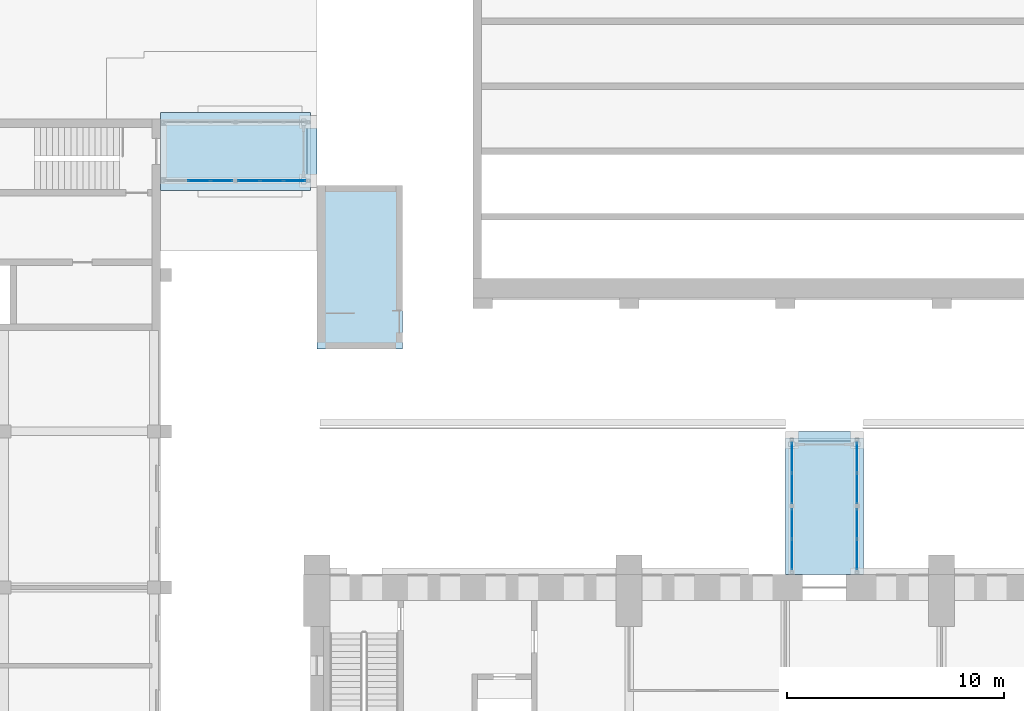
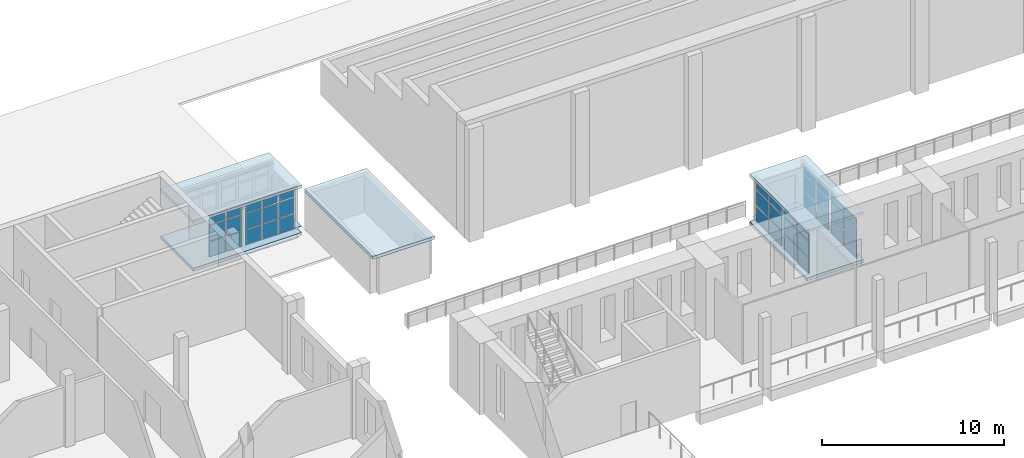
# One storey, part 66 of 131: 41 plates, 5 slabs, 6 elements without a shape of their own.
"""IFC4 building model written with IfcOpenShell, lengths in metres."""

from ifc_helpers import new_model, si_unit, direction, frame, origin, origin_2d, place, context, subcontext, project, spatial, polyline, rectangle, outline, extrude, material, layer, layer_set, type_object, element, aggregate, save


model = new_model("IFC4")

# Units and contexts
model_context = context("Model", 3, precision=1e-05, world=origin(), true_north=direction((0.0, 1.0)))
body_context = subcontext(model_context, "Body", "Model", "MODEL_VIEW")
ifc_project = project(units=[si_unit("LENGTHUNIT", "METRE"), si_unit("AREAUNIT", "SQUARE_METRE"), si_unit("VOLUMEUNIT", "CUBIC_METRE"), si_unit("PLANEANGLEUNIT", "RADIAN"), si_unit("MASSUNIT", "GRAM", prefix="KILO")], contexts=[model_context])

# Site, building, storey
site_placement = place(None, origin())
site = spatial("IfcSite", under=ifc_project, at=site_placement, CompositionType="ELEMENT")
building_placement = place(site_placement, origin())
building = spatial("IfcBuilding", under=site, at=building_placement, Name="Alderwick Market Hall", CompositionType="ELEMENT")
storey_placement = place(building_placement, frame((0.0, 0.0, 4.800048828125)))
storey = spatial("IfcBuildingStorey", under=building, at=storey_placement, Name="L00", CompositionType="ELEMENT", Elevation=4.800048828125)

# Slab
ifc_material_1 = material(Name="Concrete 4000 psi (f'c 28 MPa)", Category="concrete")
ifc_layer_1 = layer(ifc_material_1, 0.199951171875)
ifc_layer_set_1 = layer_set([ifc_layer_1], Name="Concrete 4000 psi (f'c 28 MPa)")
slab_type_1 = type_object("IfcSlabType", Name="A Head-house Roof Slab 200", PredefinedType="ROOF", material=ifc_layer_set_1)
slab_1_placement = place(storey_placement, frame((0.0, 0.0, 2.5)))
element("IfcSlab", 1, at=slab_1_placement, inside=storey, type_object=slab_type_1, Name="A.N.hh.W.roof", PredefinedType="ROOF", context=body_context, shape_type="SweptSolid", body=[
    extrude(outline(polyline([(50.39990234375, 119.0), (54.35009765625, 119.0), (54.35009765625, 126.52001953125), (50.39990234375, 126.52001953125), (50.39990234375, 119.0)])), origin(), (0.0, 0.0, 1.0), 0.199951171875),
])

# Curtain wall, plates
ifc_material_2 = material(Name="Aluminium frame", Category="aluminium")
ifc_layer_2 = layer(ifc_material_2, 0.10009765625)
ifc_layer_set_2 = layer_set([ifc_layer_2], Name="Aluminium frame")
curtain_wall_type = type_object("IfcCurtainWallType", Name="P Curtain Wall 100", PredefinedType="NOTDEFINED", material=ifc_layer_set_2)
curtain_wall_1_placement = place(storey_placement, origin())
curtain_wall_1 = element("IfcCurtainWall", 2, at=curtain_wall_1_placement, inside=storey, type_object=curtain_wall_type, Name="P.P1.cw.a0", PredefinedType="NOTDEFINED")
ifc_material_3 = material(Name="Glass, low-e insulated glazing", Category="glass")
ifc_layer_3 = layer(ifc_material_3, 0.028076171875)
ifc_layer_set_3 = layer_set([ifc_layer_3], Name="Glass, low-e insulated glazing")
plate_type_1 = type_object("IfcPlateType", Name="P Glass Panel 28", PredefinedType="CURTAIN_PANEL", material=ifc_layer_set_3)
plate_1_placement = place(storey_placement, frame((72.300048828125, 109.515380859375, 0.06005859375), z_axis=(0.0, 0.0, 1.0), x_axis=(0.0, 1.0, 0.0)))
plate_1 = element("IfcPlate", 3, at=plate_1_placement, type_object=plate_type_1, Name="P-CW1a0 panel 1.1", PredefinedType="CURTAIN_PANEL", context=body_context, shape_type="SweptSolid", body=[
    extrude(rectangle(XDim=1.35888671875, YDim=0.028076171875, at=origin_2d()), origin(), (0.0, 0.0, 1.0), 1.010009765625),
])
plate_2_placement = place(storey_placement, frame((72.300048828125, 109.515380859375, 1.1298828125), z_axis=(0.0, 0.0, 1.0), x_axis=(0.0, 1.0, 0.0)))
plate_2 = element("IfcPlate", 4, at=plate_2_placement, type_object=plate_type_1, Name="P-CW1a0 panel 1.2", PredefinedType="CURTAIN_PANEL", context=body_context, shape_type="SweptSolid", body=[
    extrude(rectangle(XDim=1.35888671875, YDim=0.028076171875, at=origin_2d()), origin(), (0.0, 0.0, 1.0), 1.0400390625),
])
plate_3_placement = place(storey_placement, frame((72.300048828125, 109.515380859375, 2.22998046875), z_axis=(0.0, 0.0, 1.0), x_axis=(0.0, 1.0, 0.0)))
plate_3 = element("IfcPlate", 5, at=plate_3_placement, type_object=plate_type_1, Name="P-CW1a0 panel 1.3", PredefinedType="CURTAIN_PANEL", context=body_context, shape_type="SweptSolid", body=[
    extrude(rectangle(XDim=1.35888671875, YDim=0.028076171875, at=origin_2d()), origin(), (0.0, 0.0, 1.0), 0.462890625),
])
plate_4_placement = place(storey_placement, frame((72.300048828125, 110.9345703125, 0.06005859375), z_axis=(0.0, 0.0, 1.0), x_axis=(0.0, 1.0, 0.0)))
plate_4 = element("IfcPlate", 6, at=plate_4_placement, type_object=plate_type_1, Name="P-CW1a0 panel 2.1", PredefinedType="CURTAIN_PANEL", context=body_context, shape_type="SweptSolid", body=[
    extrude(rectangle(XDim=1.35888671875, YDim=0.028076171875, at=origin_2d()), origin(), (0.0, 0.0, 1.0), 1.010009765625),
])
plate_5_placement = place(storey_placement, frame((72.300048828125, 110.9345703125, 1.1298828125), z_axis=(0.0, 0.0, 1.0), x_axis=(0.0, 1.0, 0.0)))
plate_5 = element("IfcPlate", 7, at=plate_5_placement, type_object=plate_type_1, Name="P-CW1a0 panel 2.2", PredefinedType="CURTAIN_PANEL", context=body_context, shape_type="SweptSolid", body=[
    extrude(rectangle(XDim=1.35888671875, YDim=0.028076171875, at=origin_2d()), origin(), (0.0, 0.0, 1.0), 1.0400390625),
])
plate_6_placement = place(storey_placement, frame((72.300048828125, 110.9345703125, 2.22998046875), z_axis=(0.0, 0.0, 1.0), x_axis=(0.0, 1.0, 0.0)))
plate_6 = element("IfcPlate", 8, at=plate_6_placement, type_object=plate_type_1, Name="P-CW1a0 panel 2.3", PredefinedType="CURTAIN_PANEL", context=body_context, shape_type="SweptSolid", body=[
    extrude(rectangle(XDim=1.35888671875, YDim=0.028076171875, at=origin_2d()), origin(), (0.0, 0.0, 1.0), 0.462890625),
])
aggregate(curtain_wall_1, [plate_1, plate_2, plate_3, plate_4, plate_5, plate_6])

curtain_wall_2_placement = place(storey_placement, origin())
curtain_wall_2 = element("IfcCurtainWall", 9, at=curtain_wall_2_placement, inside=storey, type_object=curtain_wall_type, Name="P.P1.cw.a1", PredefinedType="NOTDEFINED")
plate_7_placement = place(storey_placement, frame((72.300048828125, 112.5654296875, 0.06005859375), z_axis=(0.0, 0.0, 1.0), x_axis=(0.0, 1.0, 0.0)))
plate_7 = element("IfcPlate", 10, at=plate_7_placement, type_object=plate_type_1, Name="P-CW1a1 panel 1.1", PredefinedType="CURTAIN_PANEL", context=body_context, shape_type="SweptSolid", body=[
    extrude(rectangle(XDim=1.35888671875, YDim=0.028076171875, at=origin_2d()), origin(), (0.0, 0.0, 1.0), 1.010009765625),
])
plate_8_placement = place(storey_placement, frame((72.300048828125, 112.5654296875, 1.1298828125), z_axis=(0.0, 0.0, 1.0), x_axis=(0.0, 1.0, 0.0)))
plate_8 = element("IfcPlate", 11, at=plate_8_placement, type_object=plate_type_1, Name="P-CW1a1 panel 1.2", PredefinedType="CURTAIN_PANEL", context=body_context, shape_type="SweptSolid", body=[
    extrude(rectangle(XDim=1.35888671875, YDim=0.028076171875, at=origin_2d()), origin(), (0.0, 0.0, 1.0), 1.0400390625),
])
plate_9_placement = place(storey_placement, frame((72.300048828125, 112.5654296875, 2.22998046875), z_axis=(0.0, 0.0, 1.0), x_axis=(0.0, 1.0, 0.0)))
plate_9 = element("IfcPlate", 12, at=plate_9_placement, type_object=plate_type_1, Name="P-CW1a1 panel 1.3", PredefinedType="CURTAIN_PANEL", context=body_context, shape_type="SweptSolid", body=[
    extrude(rectangle(XDim=1.35888671875, YDim=0.028076171875, at=origin_2d()), origin(), (0.0, 0.0, 1.0), 0.462890625),
])
plate_10_placement = place(storey_placement, frame((72.300048828125, 113.984619140625, 0.06005859375), z_axis=(0.0, 0.0, 1.0), x_axis=(0.0, 1.0, 0.0)))
plate_10 = element("IfcPlate", 13, at=plate_10_placement, type_object=plate_type_1, Name="P-CW1a1 panel 2.1", PredefinedType="CURTAIN_PANEL", context=body_context, shape_type="SweptSolid", body=[
    extrude(rectangle(XDim=1.35888671875, YDim=0.028076171875, at=origin_2d()), origin(), (0.0, 0.0, 1.0), 1.010009765625),
])
plate_11_placement = place(storey_placement, frame((72.300048828125, 113.984619140625, 1.1298828125), z_axis=(0.0, 0.0, 1.0), x_axis=(0.0, 1.0, 0.0)))
plate_11 = element("IfcPlate", 14, at=plate_11_placement, type_object=plate_type_1, Name="P-CW1a1 panel 2.2", PredefinedType="CURTAIN_PANEL", context=body_context, shape_type="SweptSolid", body=[
    extrude(rectangle(XDim=1.35888671875, YDim=0.028076171875, at=origin_2d()), origin(), (0.0, 0.0, 1.0), 1.0400390625),
])
plate_12_placement = place(storey_placement, frame((72.300048828125, 113.984619140625, 2.22998046875), z_axis=(0.0, 0.0, 1.0), x_axis=(0.0, 1.0, 0.0)))
plate_12 = element("IfcPlate", 15, at=plate_12_placement, type_object=plate_type_1, Name="P-CW1a1 panel 2.3", PredefinedType="CURTAIN_PANEL", context=body_context, shape_type="SweptSolid", body=[
    extrude(rectangle(XDim=1.35888671875, YDim=0.028076171875, at=origin_2d()), origin(), (0.0, 0.0, 1.0), 0.462890625),
])
aggregate(curtain_wall_2, [plate_7, plate_8, plate_9, plate_10, plate_11, plate_12])

curtain_wall_3_placement = place(storey_placement, origin())
curtain_wall_3 = element("IfcCurtainWall", 16, at=curtain_wall_3_placement, inside=storey, type_object=curtain_wall_type, Name="P.P1.cw.b0", PredefinedType="NOTDEFINED")
plate_13_placement = place(storey_placement, frame((75.300048828125, 109.515380859375, 0.06005859375), z_axis=(0.0, 0.0, 1.0), x_axis=(0.0, 1.0, 0.0)))
plate_13 = element("IfcPlate", 17, at=plate_13_placement, type_object=plate_type_1, Name="P-CW1b0 panel 1.1", PredefinedType="CURTAIN_PANEL", context=body_context, shape_type="SweptSolid", body=[
    extrude(rectangle(XDim=1.35888671875, YDim=0.028076171875, at=origin_2d()), origin(), (0.0, 0.0, 1.0), 1.010009765625),
])
plate_14_placement = place(storey_placement, frame((75.300048828125, 109.515380859375, 1.1298828125), z_axis=(0.0, 0.0, 1.0), x_axis=(0.0, 1.0, 0.0)))
plate_14 = element("IfcPlate", 18, at=plate_14_placement, type_object=plate_type_1, Name="P-CW1b0 panel 1.2", PredefinedType="CURTAIN_PANEL", context=body_context, shape_type="SweptSolid", body=[
    extrude(rectangle(XDim=1.35888671875, YDim=0.028076171875, at=origin_2d()), origin(), (0.0, 0.0, 1.0), 1.0400390625),
])
plate_15_placement = place(storey_placement, frame((75.300048828125, 109.515380859375, 2.22998046875), z_axis=(0.0, 0.0, 1.0), x_axis=(0.0, 1.0, 0.0)))
plate_15 = element("IfcPlate", 19, at=plate_15_placement, type_object=plate_type_1, Name="P-CW1b0 panel 1.3", PredefinedType="CURTAIN_PANEL", context=body_context, shape_type="SweptSolid", body=[
    extrude(rectangle(XDim=1.35888671875, YDim=0.028076171875, at=origin_2d()), origin(), (0.0, 0.0, 1.0), 0.462890625),
])
plate_16_placement = place(storey_placement, frame((75.300048828125, 110.9345703125, 0.06005859375), z_axis=(0.0, 0.0, 1.0), x_axis=(0.0, 1.0, 0.0)))
plate_16 = element("IfcPlate", 20, at=plate_16_placement, type_object=plate_type_1, Name="P-CW1b0 panel 2.1", PredefinedType="CURTAIN_PANEL", context=body_context, shape_type="SweptSolid", body=[
    extrude(rectangle(XDim=1.35888671875, YDim=0.028076171875, at=origin_2d()), origin(), (0.0, 0.0, 1.0), 1.010009765625),
])
plate_17_placement = place(storey_placement, frame((75.300048828125, 110.9345703125, 1.1298828125), z_axis=(0.0, 0.0, 1.0), x_axis=(0.0, 1.0, 0.0)))
plate_17 = element("IfcPlate", 21, at=plate_17_placement, type_object=plate_type_1, Name="P-CW1b0 panel 2.2", PredefinedType="CURTAIN_PANEL", context=body_context, shape_type="SweptSolid", body=[
    extrude(rectangle(XDim=1.35888671875, YDim=0.028076171875, at=origin_2d()), origin(), (0.0, 0.0, 1.0), 1.0400390625),
])
plate_18_placement = place(storey_placement, frame((75.300048828125, 110.9345703125, 2.22998046875), z_axis=(0.0, 0.0, 1.0), x_axis=(0.0, 1.0, 0.0)))
plate_18 = element("IfcPlate", 22, at=plate_18_placement, type_object=plate_type_1, Name="P-CW1b0 panel 2.3", PredefinedType="CURTAIN_PANEL", context=body_context, shape_type="SweptSolid", body=[
    extrude(rectangle(XDim=1.35888671875, YDim=0.028076171875, at=origin_2d()), origin(), (0.0, 0.0, 1.0), 0.462890625),
])
aggregate(curtain_wall_3, [plate_13, plate_14, plate_15, plate_16, plate_17, plate_18])

curtain_wall_4_placement = place(storey_placement, origin())
curtain_wall_4 = element("IfcCurtainWall", 23, at=curtain_wall_4_placement, inside=storey, type_object=curtain_wall_type, Name="P.P1.cw.b1", PredefinedType="NOTDEFINED")
plate_19_placement = place(storey_placement, frame((75.300048828125, 112.5654296875, 0.06005859375), z_axis=(0.0, 0.0, 1.0), x_axis=(0.0, 1.0, 0.0)))
plate_19 = element("IfcPlate", 24, at=plate_19_placement, type_object=plate_type_1, Name="P-CW1b1 panel 1.1", PredefinedType="CURTAIN_PANEL", context=body_context, shape_type="SweptSolid", body=[
    extrude(rectangle(XDim=1.35888671875, YDim=0.028076171875, at=origin_2d()), origin(), (0.0, 0.0, 1.0), 1.010009765625),
])
plate_20_placement = place(storey_placement, frame((75.300048828125, 112.5654296875, 1.1298828125), z_axis=(0.0, 0.0, 1.0), x_axis=(0.0, 1.0, 0.0)))
plate_20 = element("IfcPlate", 25, at=plate_20_placement, type_object=plate_type_1, Name="P-CW1b1 panel 1.2", PredefinedType="CURTAIN_PANEL", context=body_context, shape_type="SweptSolid", body=[
    extrude(rectangle(XDim=1.35888671875, YDim=0.028076171875, at=origin_2d()), origin(), (0.0, 0.0, 1.0), 1.0400390625),
])
plate_21_placement = place(storey_placement, frame((75.300048828125, 112.5654296875, 2.22998046875), z_axis=(0.0, 0.0, 1.0), x_axis=(0.0, 1.0, 0.0)))
plate_21 = element("IfcPlate", 26, at=plate_21_placement, type_object=plate_type_1, Name="P-CW1b1 panel 1.3", PredefinedType="CURTAIN_PANEL", context=body_context, shape_type="SweptSolid", body=[
    extrude(rectangle(XDim=1.35888671875, YDim=0.028076171875, at=origin_2d()), origin(), (0.0, 0.0, 1.0), 0.462890625),
])
plate_22_placement = place(storey_placement, frame((75.300048828125, 113.984619140625, 0.06005859375), z_axis=(0.0, 0.0, 1.0), x_axis=(0.0, 1.0, 0.0)))
plate_22 = element("IfcPlate", 27, at=plate_22_placement, type_object=plate_type_1, Name="P-CW1b1 panel 2.1", PredefinedType="CURTAIN_PANEL", context=body_context, shape_type="SweptSolid", body=[
    extrude(rectangle(XDim=1.35888671875, YDim=0.028076171875, at=origin_2d()), origin(), (0.0, 0.0, 1.0), 1.010009765625),
])
plate_23_placement = place(storey_placement, frame((75.300048828125, 113.984619140625, 1.1298828125), z_axis=(0.0, 0.0, 1.0), x_axis=(0.0, 1.0, 0.0)))
plate_23 = element("IfcPlate", 28, at=plate_23_placement, type_object=plate_type_1, Name="P-CW1b1 panel 2.2", PredefinedType="CURTAIN_PANEL", context=body_context, shape_type="SweptSolid", body=[
    extrude(rectangle(XDim=1.35888671875, YDim=0.028076171875, at=origin_2d()), origin(), (0.0, 0.0, 1.0), 1.0400390625),
])
plate_24_placement = place(storey_placement, frame((75.300048828125, 113.984619140625, 2.22998046875), z_axis=(0.0, 0.0, 1.0), x_axis=(0.0, 1.0, 0.0)))
plate_24 = element("IfcPlate", 29, at=plate_24_placement, type_object=plate_type_1, Name="P-CW1b1 panel 2.3", PredefinedType="CURTAIN_PANEL", context=body_context, shape_type="SweptSolid", body=[
    extrude(rectangle(XDim=1.35888671875, YDim=0.028076171875, at=origin_2d()), origin(), (0.0, 0.0, 1.0), 0.462890625),
])
aggregate(curtain_wall_4, [plate_19, plate_20, plate_21, plate_22, plate_23, plate_24])

curtain_wall_5_placement = place(storey_placement, origin())
curtain_wall_5 = element("IfcCurtainWall", 30, at=curtain_wall_5_placement, inside=storey, type_object=curtain_wall_type, Name="P.P7.cw.a0", PredefinedType="NOTDEFINED")
plate_25_placement = place(storey_placement, frame((44.97509765625, 126.75, 0.06005859375), z_axis=(0.0, 0.0, 1.0), x_axis=(1.0, 0.0, 0.0)))
plate_25 = element("IfcPlate", 31, at=plate_25_placement, type_object=plate_type_1, Name="P-CW7a0 panel 2.1", PredefinedType="CURTAIN_PANEL", context=body_context, shape_type="SweptSolid", body=[
    extrude(rectangle(XDim=1.006103515625, YDim=0.028076171875, at=origin_2d()), origin(), (0.0, 0.0, 1.0), 1.010009765625),
])
plate_26_placement = place(storey_placement, frame((44.97509765625, 126.75, 1.1298828125), z_axis=(0.0, 0.0, 1.0), x_axis=(1.0, 0.0, 0.0)))
plate_26 = element("IfcPlate", 32, at=plate_26_placement, type_object=plate_type_1, Name="P-CW7a0 panel 2.2", PredefinedType="CURTAIN_PANEL", context=body_context, shape_type="SweptSolid", body=[
    extrude(rectangle(XDim=1.006103515625, YDim=0.028076171875, at=origin_2d()), origin(), (0.0, 0.0, 1.0), 1.0400390625),
])
plate_27_placement = place(storey_placement, frame((44.97509765625, 126.75, 2.22998046875), z_axis=(0.0, 0.0, 1.0), x_axis=(1.0, 0.0, 0.0)))
plate_27 = element("IfcPlate", 33, at=plate_27_placement, type_object=plate_type_1, Name="P-CW7a0 panel 2.3", PredefinedType="CURTAIN_PANEL", context=body_context, shape_type="SweptSolid", body=[
    extrude(rectangle(XDim=1.006103515625, YDim=0.028076171875, at=origin_2d()), origin(), (0.0, 0.0, 1.0), 0.462890625),
])
plate_28_placement = place(storey_placement, frame((46.02587890625, 126.75, 0.06005859375), z_axis=(0.0, 0.0, 1.0), x_axis=(1.0, 0.0, 0.0)))
plate_28 = element("IfcPlate", 34, at=plate_28_placement, type_object=plate_type_1, Name="P-CW7a0 panel 3.1", PredefinedType="CURTAIN_PANEL", context=body_context, shape_type="SweptSolid", body=[
    extrude(rectangle(XDim=0.97607421875, YDim=0.028076171875, at=origin_2d()), origin(), (0.0, 0.0, 1.0), 1.010009765625),
])
plate_29_placement = place(storey_placement, frame((46.02587890625, 126.75, 1.1298828125), z_axis=(0.0, 0.0, 1.0), x_axis=(1.0, 0.0, 0.0)))
plate_29 = element("IfcPlate", 35, at=plate_29_placement, type_object=plate_type_1, Name="P-CW7a0 panel 3.2", PredefinedType="CURTAIN_PANEL", context=body_context, shape_type="SweptSolid", body=[
    extrude(rectangle(XDim=0.97607421875, YDim=0.028076171875, at=origin_2d()), origin(), (0.0, 0.0, 1.0), 1.0400390625),
])
plate_30_placement = place(storey_placement, frame((46.02587890625, 126.75, 2.22998046875), z_axis=(0.0, 0.0, 1.0), x_axis=(1.0, 0.0, 0.0)))
plate_30 = element("IfcPlate", 36, at=plate_30_placement, type_object=plate_type_1, Name="P-CW7a0 panel 3.3", PredefinedType="CURTAIN_PANEL", context=body_context, shape_type="SweptSolid", body=[
    extrude(rectangle(XDim=0.97607421875, YDim=0.028076171875, at=origin_2d()), origin(), (0.0, 0.0, 1.0), 0.462890625),
])
aggregate(curtain_wall_5, [plate_25, plate_26, plate_27, plate_28, plate_29, plate_30])

curtain_wall_6_placement = place(storey_placement, origin())
curtain_wall_6 = element("IfcCurtainWall", 37, at=curtain_wall_6_placement, inside=storey, type_object=curtain_wall_type, Name="P.P7.cw.a1", PredefinedType="NOTDEFINED")
plate_31_placement = place(storey_placement, frame((47.27392578125, 126.75, 0.06005859375), z_axis=(0.0, 0.0, 1.0), x_axis=(1.0, 0.0, 0.0)))
plate_31 = element("IfcPlate", 38, at=plate_31_placement, type_object=plate_type_1, Name="P-CW7a1 panel 1.1", PredefinedType="CURTAIN_PANEL", context=body_context, shape_type="SweptSolid", body=[
    extrude(rectangle(XDim=0.97607421875, YDim=0.028076171875, at=origin_2d()), origin(), (0.0, 0.0, 1.0), 1.010009765625),
])
plate_32_placement = place(storey_placement, frame((47.27392578125, 126.75, 1.1298828125), z_axis=(0.0, 0.0, 1.0), x_axis=(1.0, 0.0, 0.0)))
plate_32 = element("IfcPlate", 39, at=plate_32_placement, type_object=plate_type_1, Name="P-CW7a1 panel 1.2", PredefinedType="CURTAIN_PANEL", context=body_context, shape_type="SweptSolid", body=[
    extrude(rectangle(XDim=0.97607421875, YDim=0.028076171875, at=origin_2d()), origin(), (0.0, 0.0, 1.0), 1.0400390625),
])
plate_33_placement = place(storey_placement, frame((47.27392578125, 126.75, 2.22998046875), z_axis=(0.0, 0.0, 1.0), x_axis=(1.0, 0.0, 0.0)))
plate_33 = element("IfcPlate", 40, at=plate_33_placement, type_object=plate_type_1, Name="P-CW7a1 panel 1.3", PredefinedType="CURTAIN_PANEL", context=body_context, shape_type="SweptSolid", body=[
    extrude(rectangle(XDim=0.97607421875, YDim=0.028076171875, at=origin_2d()), origin(), (0.0, 0.0, 1.0), 0.462890625),
])
plate_34_placement = place(storey_placement, frame((48.324951171875, 126.75, 0.06005859375), z_axis=(0.0, 0.0, 1.0), x_axis=(1.0, 0.0, 0.0)))
plate_34 = element("IfcPlate", 41, at=plate_34_placement, type_object=plate_type_1, Name="P-CW7a1 panel 2.1", PredefinedType="CURTAIN_PANEL", context=body_context, shape_type="SweptSolid", body=[
    extrude(rectangle(XDim=1.006103515625, YDim=0.028076171875, at=origin_2d()), origin(), (0.0, 0.0, 1.0), 1.010009765625),
])
plate_35_placement = place(storey_placement, frame((48.324951171875, 126.75, 1.1298828125), z_axis=(0.0, 0.0, 1.0), x_axis=(1.0, 0.0, 0.0)))
plate_35 = element("IfcPlate", 42, at=plate_35_placement, type_object=plate_type_1, Name="P-CW7a1 panel 2.2", PredefinedType="CURTAIN_PANEL", context=body_context, shape_type="SweptSolid", body=[
    extrude(rectangle(XDim=1.006103515625, YDim=0.028076171875, at=origin_2d()), origin(), (0.0, 0.0, 1.0), 1.0400390625),
])
plate_36_placement = place(storey_placement, frame((48.324951171875, 126.75, 2.22998046875), z_axis=(0.0, 0.0, 1.0), x_axis=(1.0, 0.0, 0.0)))
plate_36 = element("IfcPlate", 43, at=plate_36_placement, type_object=plate_type_1, Name="P-CW7a1 panel 2.3", PredefinedType="CURTAIN_PANEL", context=body_context, shape_type="SweptSolid", body=[
    extrude(rectangle(XDim=1.006103515625, YDim=0.028076171875, at=origin_2d()), origin(), (0.0, 0.0, 1.0), 0.462890625),
])
plate_37_placement = place(storey_placement, frame((49.3759765625, 126.75, 0.06005859375), z_axis=(0.0, 0.0, 1.0), x_axis=(1.0, 0.0, 0.0)))
plate_37 = element("IfcPlate", 44, at=plate_37_placement, type_object=plate_type_1, Name="P-CW7a1 panel 3.1", PredefinedType="CURTAIN_PANEL", context=body_context, shape_type="SweptSolid", body=[
    extrude(rectangle(XDim=0.97607421875, YDim=0.028076171875, at=origin_2d()), origin(), (0.0, 0.0, 1.0), 1.010009765625),
])
plate_38_placement = place(storey_placement, frame((49.3759765625, 126.75, 1.1298828125), z_axis=(0.0, 0.0, 1.0), x_axis=(1.0, 0.0, 0.0)))
plate_38 = element("IfcPlate", 45, at=plate_38_placement, type_object=plate_type_1, Name="P-CW7a1 panel 3.2", PredefinedType="CURTAIN_PANEL", context=body_context, shape_type="SweptSolid", body=[
    extrude(rectangle(XDim=0.97607421875, YDim=0.028076171875, at=origin_2d()), origin(), (0.0, 0.0, 1.0), 1.0400390625),
])
plate_39_placement = place(storey_placement, frame((49.3759765625, 126.75, 2.22998046875), z_axis=(0.0, 0.0, 1.0), x_axis=(1.0, 0.0, 0.0)))
plate_39 = element("IfcPlate", 46, at=plate_39_placement, type_object=plate_type_1, Name="P-CW7a1 panel 3.3", PredefinedType="CURTAIN_PANEL", context=body_context, shape_type="SweptSolid", body=[
    extrude(rectangle(XDim=0.97607421875, YDim=0.028076171875, at=origin_2d()), origin(), (0.0, 0.0, 1.0), 0.462890625),
])
aggregate(curtain_wall_6, [plate_31, plate_32, plate_33, plate_34, plate_35, plate_36, plate_37, plate_38, plate_39])

# Plates
ifc_material_4 = material(Name="Stainless steel plate, grade 316", Category="steel")
ifc_layer_4 = layer(ifc_material_4, 0.011962890625)
ifc_layer_set_4 = layer_set([ifc_layer_4], Name="Stainless steel plate, grade 316")
plate_type_2 = type_object("IfcPlateType", Name="P Joint Cover Plate 12", PredefinedType="SHEET", material=ifc_layer_set_4)
plate_40_placement = place(storey_placement, frame((73.800048828125, 114.97509765625, 0.0), z_axis=(0.0, 0.0, 1.0), x_axis=(1.0, 0.0, 0.0)))
element("IfcPlate", 47, at=plate_40_placement, inside=storey, type_object=plate_type_2, Name="Threshold cover plate", PredefinedType="SHEET", context=body_context, shape_type="SweptSolid", body=[
    extrude(rectangle(XDim=2.847900390625, YDim=0.449951171875, at=origin_2d()), origin(), (0.0, 0.0, 1.0), 0.011962890625),
])
plate_41_placement = place(storey_placement, frame((50.175048828125, 128.10009765625, 0.0), z_axis=(0.0, 0.0, 1.0), x_axis=(1.0, 0.0, 0.0)))
element("IfcPlate", 48, at=plate_41_placement, inside=storey, type_object=plate_type_2, Name="Threshold cover plate", PredefinedType="SHEET", context=body_context, shape_type="SweptSolid", body=[
    extrude(rectangle(XDim=0.449951171875, YDim=2.548095703125, at=origin_2d()), origin(), (0.0, 0.0, 1.0), 0.011962890625),
])

# Slabs
ifc_layer_5 = layer(ifc_material_1, 0.199951171875)
ifc_layer_set_5 = layer_set([ifc_layer_5], Name="Concrete 4000 psi (f'c 28 MPa)")
slab_type_2 = type_object("IfcSlabType", Name="P Passage Roof Deck 200", PredefinedType="ROOF", material=ifc_layer_set_5)
slab_2_placement = place(storey_placement, frame((0.0, 0.0, 3.0)))
element("IfcSlab", 49, at=slab_2_placement, inside=storey, type_object=slab_type_2, Name="P.P1.roof", PredefinedType="ROOF", context=body_context, shape_type="SweptSolid", body=[
    extrude(outline(polyline([(72.0, 108.60009765625), (75.60009765625, 108.60009765625), (75.60009765625, 114.89990234375), (72.0, 114.89990234375), (72.0, 108.60009765625)])), origin(), (0.0, 0.0, 1.0), 0.199951171875),
])
slab_3_placement = place(storey_placement, frame((0.0, 0.0, 3.0)))
element("IfcSlab", 50, at=slab_3_placement, inside=storey, type_object=slab_type_2, Name="P.P7.roof", PredefinedType="ROOF", context=body_context, shape_type="SweptSolid", body=[
    extrude(outline(polyline([(43.199951171875, 126.300048828125), (50.10009765625, 126.300048828125), (50.10009765625, 129.89990234375), (43.199951171875, 129.89990234375), (43.199951171875, 126.300048828125)])), origin(), (0.0, 0.0, 1.0), 0.199951171875),
])
ifc_layer_6 = layer(ifc_material_1, 0.199951171875)
ifc_layer_set_6 = layer_set([ifc_layer_6], Name="Concrete 4000 psi (f'c 28 MPa)")
slab_type_3 = type_object("IfcSlabType", Name="P RC Passage Deck 200", PredefinedType="FLOOR", material=ifc_layer_set_6)
slab_4_placement = place(storey_placement, frame((0.0, 0.0, -0.199951171875)))
element("IfcSlab", 51, at=slab_4_placement, inside=storey, type_object=slab_type_3, Name="P.P1.deck", PredefinedType="FLOOR", context=body_context, shape_type="SweptSolid", body=[
    extrude(outline(polyline([(72.0, 108.60009765625), (75.60009765625, 108.60009765625), (75.60009765625, 114.89990234375), (72.0, 114.89990234375), (72.0, 108.60009765625)])), origin(), (0.0, 0.0, 1.0), 0.199951171875),
])
slab_5_placement = place(storey_placement, frame((0.0, 0.0, -0.199951171875)))
element("IfcSlab", 52, at=slab_5_placement, inside=storey, type_object=slab_type_3, Name="P.P7.deck", PredefinedType="FLOOR", context=body_context, shape_type="SweptSolid", body=[
    extrude(outline(polyline([(43.199951171875, 126.300048828125), (50.10009765625, 126.300048828125), (50.10009765625, 129.89990234375), (43.199951171875, 129.89990234375), (43.199951171875, 126.300048828125)])), origin(), (0.0, 0.0, 1.0), 0.199951171875),
])

save(model, "model.ifc")
